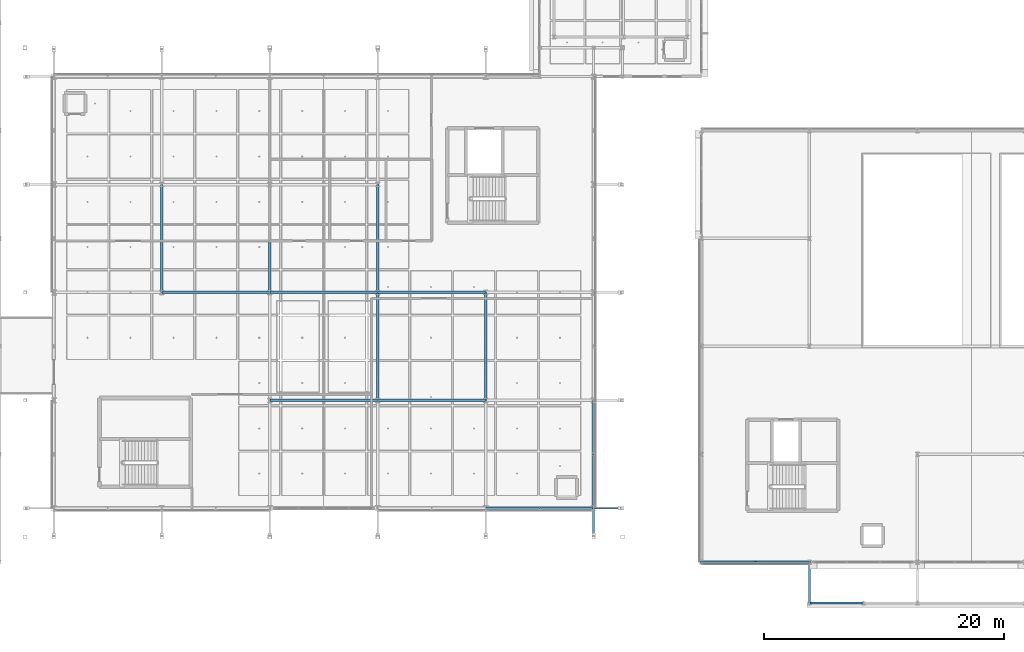
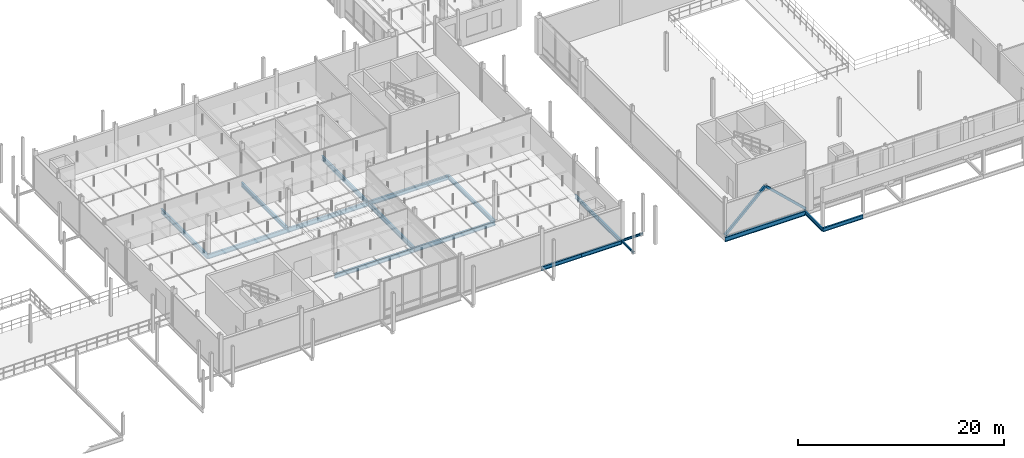
# One storey, part 25 of 130: 19 beams, 2 members.
"""IFC4 building model written with IfcOpenShell, lengths in metres."""

from ifc_helpers import new_model, si_unit, direction, frame, origin, origin_2d, place, context, subcontext, project, spatial, hollow_rectangle, i_section, extrude, material, material_profile, profile_set, type_object, element, save


model = new_model("IFC4")

# Units and contexts
model_context = context("Model", 3, precision=1e-05, world=origin(), true_north=direction((0.0, 1.0)))
body_context = subcontext(model_context, "Body", "Model", "MODEL_VIEW")
ifc_project = project(units=[si_unit("LENGTHUNIT", "METRE"), si_unit("AREAUNIT", "SQUARE_METRE"), si_unit("VOLUMEUNIT", "CUBIC_METRE"), si_unit("PLANEANGLEUNIT", "RADIAN"), si_unit("MASSUNIT", "GRAM", prefix="KILO"), si_unit("THERMODYNAMICTEMPERATUREUNIT", "KELVIN"), si_unit("POWERUNIT", "WATT")], contexts=[model_context])

# Site, building, storey
site_placement = place(None, origin())
site = spatial("IfcSite", under=ifc_project, at=site_placement, CompositionType="ELEMENT")
building_placement = place(site_placement, origin())
building = spatial("IfcBuilding", under=site, at=building_placement, Name="Tallowbark Science Centre", CompositionType="ELEMENT")
storey_placement = place(building_placement, frame((0.0, 0.0, 5.39990234375)))
storey = spatial("IfcBuildingStorey", under=building, at=storey_placement, Name="L01", CompositionType="ELEMENT", Elevation=5.39990234375)

# Beams
ifc_material_1 = material(Name="White Architectural Painted Steel Grade C350L0 (350 MPa)", Category="steel")
ifc_material_profile_1 = material_profile(ifc_material_1, i_section(OverallWidth=0.146484375, OverallDepth=0.256103515625, WebThickness=0.00634765625, FlangeThickness=0.010986328125, FilletRadius=0.0087890625, at=origin_2d()), Name="250UB37.3")
ifc_profile_set_1 = profile_set([ifc_material_profile_1], Name="White Architectural Painted Steel Grade C350L0 (350 MPa)")
beam_type_1 = type_object("IfcBeamType", Name="BM-OUT250", PredefinedType="BEAM", material=ifc_profile_set_1)
for number, where, z_axis, x_axis, name in (
    (1, (103.5, 4.5, -0.25), (0.0, -1.0, 0.0), (1.0, 0.0, 0.0), "Star Screen Outrigger Tie Beam S-11"),
    (2, (103.5, 4.5, -0.25), (1.0, 0.0, 0.0), (0.0, 1.0, 0.0), "Star Screen Outrigger Tie Beam E-13"),
):
    element("IfcBeam", number, at=place(storey_placement, frame(where, z_axis=z_axis, x_axis=x_axis)), inside=storey, type_object=beam_type_1, Name=name, PredefinedType="BEAM", context=body_context, shape_type="SweptSolid", body=[
        extrude(i_section(OverallWidth=0.146484375, OverallDepth=0.256103515625, WebThickness=0.00634765625, FlangeThickness=0.010986328125, FilletRadius=0.0087890625, at=origin_2d()), origin(), (0.0, 0.0, 1.0), 2.39990234375),
    ])
ifc_material_2 = material(Name="Structural Steel Grade 300PLUS (300 MPa)", Category="steel")
ifc_material_profile_2 = material_profile(ifc_material_2, i_section(OverallWidth=0.177734375, OverallDepth=0.406494140625, WebThickness=0.0078125, FlangeThickness=0.0126953125, FilletRadius=0.011474609375, at=origin_2d()), Name="410UB59.7")
ifc_profile_set_2 = profile_set([ifc_material_profile_2], Name="Structural Steel Grade 300PLUS (300 MPa)")
beam_type_2 = type_object("IfcBeamType", Name="BM-UB410", PredefinedType="BEAM", material=ifc_profile_set_2)
beam_1_placement = place(storey_placement, frame((121.5, -3.39990234375, -0.447998046875), z_axis=(0.0, 1.0, 0.0), x_axis=(-1.0, 0.0, 0.0)))
element("IfcBeam", 3, at=beam_1_placement, inside=storey, type_object=beam_type_2, Name="Primary Girder GRDY-L01-1215--34-0", PredefinedType="BEAM", context=body_context, shape_type="SweptSolid", body=[
    extrude(i_section(OverallWidth=0.177734375, OverallDepth=0.406494140625, WebThickness=0.0078125, FlangeThickness=0.0126953125, FilletRadius=0.011474609375, at=origin_2d()), origin(), (0.0, 0.0, 1.0), 3.39990234375),
])
ifc_material_profile_3 = material_profile(ifc_material_2, i_section(OverallWidth=0.208984375, OverallDepth=0.532958984375, WebThickness=0.01025390625, FlangeThickness=0.015625, FilletRadius=0.013916015625, at=origin_2d()), Name="530UB92.4")
ifc_profile_set_3 = profile_set([ifc_material_profile_3], Name="Structural Steel Grade 300PLUS (300 MPa)")
beam_type_3 = type_object("IfcBeamType", Name="BM-UB530A", PredefinedType="BEAM", material=ifc_profile_set_3)
for number, where, z_axis, x_axis, name in (
    (4, (76.5, 13.5, -0.4462890625), (1.0, 0.0, 0.0), (0.0, 1.0, 0.0), "Primary Girder GRDX-L01-765-855-135"),
    (5, (85.5, 13.5, -0.4462890625), (1.0, 0.0, 0.0), (0.0, 1.0, 0.0), "Primary Girder GRDX-L01-855-945-135"),
    (6, (67.5, 22.5, -0.4462890625), (1.0, 0.0, 0.0), (0.0, 1.0, 0.0), "Primary Girder GRDX-L01-675-765-225"),
    (7, (76.5, 22.5, -0.4462890625), (1.0, 0.0, 0.0), (0.0, 1.0, 0.0), "Primary Girder GRDX-L01-765-855-225"),
    (8, (85.5, 22.5, -0.4462890625), (1.0, 0.0, 0.0), (0.0, 1.0, 0.0), "Primary Girder GRDX-L01-855-945-225"),
):
    element("IfcBeam", number, at=place(storey_placement, frame(where, z_axis=z_axis, x_axis=x_axis)), inside=storey, type_object=beam_type_3, Name=name, PredefinedType="BEAM", context=body_context, shape_type="SweptSolid", body=[
        extrude(i_section(OverallWidth=0.208984375, OverallDepth=0.532958984375, WebThickness=0.01025390625, FlangeThickness=0.015625, FilletRadius=0.013916015625, at=origin_2d()), origin(), (0.0, 0.0, 1.0), 9.0),
    ])
ifc_material_profile_4 = material_profile(ifc_material_2, i_section(OverallWidth=0.208740234375, OverallDepth=0.5283203125, WebThickness=0.009521484375, FlangeThickness=0.01318359375, FilletRadius=0.013916015625, at=origin_2d()), Name="530UB82.0")
ifc_profile_set_4 = profile_set([ifc_material_profile_4], Name="Structural Steel Grade 300PLUS (300 MPa)")
beam_type_4 = type_object("IfcBeamType", Name="BM-UB530B", PredefinedType="BEAM", material=ifc_profile_set_4)
for number, where, z_axis, x_axis, name in (
    (9, (67.5, 22.5, -0.444091796875), (0.0, 1.0, 0.0), (-1.0, 0.0, 0.0), "Primary Girder GRDY-L01-675-225-315"),
    (10, (76.5, 22.5, -0.444091796875), (0.0, 1.0, 0.0), (-1.0, 0.0, 0.0), "Primary Girder GRDY-L01-765-225-315"),
    (11, (85.5, 13.5, -0.444091796875), (0.0, 1.0, 0.0), (-1.0, 0.0, 0.0), "Primary Girder GRDY-L01-855-135-225"),
    (12, (85.5, 22.5, -0.444091796875), (0.0, 1.0, 0.0), (-1.0, 0.0, 0.0), "Primary Girder GRDY-L01-855-225-315"),
    (13, (94.5, 13.5, -0.444091796875), (0.0, 1.0, 0.0), (-1.0, 0.0, 0.0), "Primary Girder GRDY-L01-945-135-225"),
):
    element("IfcBeam", number, at=place(storey_placement, frame(where, z_axis=z_axis, x_axis=x_axis)), inside=storey, type_object=beam_type_4, Name=name, PredefinedType="BEAM", context=body_context, shape_type="SweptSolid", body=[
        extrude(i_section(OverallWidth=0.208740234375, OverallDepth=0.5283203125, WebThickness=0.009521484375, FlangeThickness=0.01318359375, FilletRadius=0.013916015625, at=origin_2d()), origin(), (0.0, 0.0, 1.0), 9.0),
    ])

# Members
ifc_material_3 = material(Name="Structural Steel Grade C350L0 (350 MPa)", Category="steel")
ifc_material_profile_5 = material_profile(ifc_material_3, hollow_rectangle(XDim=0.25, YDim=0.25, WallThickness=0.009033203125, at=origin_2d()), Name="250x250x9.0SHS")
ifc_profile_set_5 = profile_set([ifc_material_profile_5], Name="Structural Steel Grade C350L0 (350 MPa)")
member_type = type_object("IfcMemberType", Name="CBF-250SHS", PredefinedType="BRACE", material=ifc_profile_set_5)
for number, where, z_axis, x_axis, name in (
    (14, (112.5, 0.0, 0.0), (0.72701315255, 0.0, 0.686623532964), (0.0, 1.0, 0.0), "Concentric Chevron Brace CBF-THT-S1 L01 Left"),
    (15, (121.5, 0.0, 0.0), (-0.72701315255, 0.0, 0.686623532964), (0.0, -1.0, 0.0), "Concentric Chevron Brace CBF-THT-S1 L01 Right"),
):
    element("IfcMember", number, at=place(storey_placement, frame(where, z_axis=z_axis, x_axis=x_axis)), inside=storey, type_object=member_type, Name=name, PredefinedType="BRACE", context=body_context, shape_type="SweptSolid", body=[
        extrude(hollow_rectangle(XDim=0.25, YDim=0.25, WallThickness=0.009033203125, at=origin_2d()), origin(), (0.0, 0.0, 1.0), 6.189697265625),
    ])

# Beams
ifc_material_profile_6 = material_profile(ifc_material_2, i_section(OverallWidth=0.208984375, OverallDepth=0.532958984375, WebThickness=0.01025390625, FlangeThickness=0.015625, FilletRadius=0.013916015625, at=origin_2d()), Name="530UB92.4")
ifc_profile_set_6 = profile_set([ifc_material_profile_6], Name="Structural Steel Grade 300PLUS (300 MPa)")
beam_type_5 = type_object("IfcBeamType", Name="LNT-UB530", PredefinedType="LINTEL", material=ifc_profile_set_6)
beam_2_placement = place(storey_placement, frame((112.5, 0.0, -0.511474609375), z_axis=(1.0, 0.0, 0.0), x_axis=(0.0, 1.0, 0.0)))
element("IfcBeam", 16, at=beam_2_placement, inside=storey, type_object=beam_type_5, Name="Primary Girder GRDX-L01-1125-1215-0", PredefinedType="LINTEL", context=body_context, shape_type="SweptSolid", body=[
    extrude(i_section(OverallWidth=0.208984375, OverallDepth=0.532958984375, WebThickness=0.01025390625, FlangeThickness=0.015625, FilletRadius=0.013916015625, at=origin_2d()), origin(), (0.0, 0.0, 1.0), 9.0),
])
ifc_material_profile_7 = material_profile(ifc_material_2, i_section(OverallWidth=0.18994140625, OverallDepth=0.453857421875, WebThickness=0.008544921875, FlangeThickness=0.0126953125, FilletRadius=0.011474609375, at=origin_2d()), Name="460UB67.1")
ifc_profile_set_7 = profile_set([ifc_material_profile_7], Name="Structural Steel Grade 300PLUS (300 MPa)")
beam_type_6 = type_object("IfcBeamType", Name="SPN-UB460", PredefinedType="SPANDREL", material=ifc_profile_set_7)
for number, where, z_axis, x_axis, name in (
    (17, (121.5, -3.39990234375, -0.471923828125), (1.0, 0.0, 0.0), (0.0, 1.0, 0.0), "Primary Girder GRDX-L01-1215-1260--34"),
    (18, (94.5, 4.5, -0.40673828125), (1.0, 0.0, 0.0), (0.0, 1.0, 0.0), "Primary Girder GRDX-L01-945-990-45"),
    (19, (99.0, 4.5, -0.40673828125), (1.0, 0.0, 0.0), (0.0, 1.0, 0.0), "Primary Girder GRDX-L01-990-1035-45"),
    (20, (103.5, 4.5, -0.40673828125), (0.0, 1.0, 0.0), (-1.0, 0.0, 0.0), "Primary Girder GRDY-L01-1035-45-90"),
    (21, (103.5, 9.0, -0.40673828125), (0.0, 1.0, 0.0), (-1.0, 0.0, 0.0), "Primary Girder GRDY-L01-1035-90-135"),
):
    element("IfcBeam", number, at=place(storey_placement, frame(where, z_axis=z_axis, x_axis=x_axis)), inside=storey, type_object=beam_type_6, Name=name, PredefinedType="SPANDREL", context=body_context, shape_type="SweptSolid", body=[
        extrude(i_section(OverallWidth=0.18994140625, OverallDepth=0.453857421875, WebThickness=0.008544921875, FlangeThickness=0.0126953125, FilletRadius=0.011474609375, at=origin_2d()), origin(), (0.0, 0.0, 1.0), 4.5),
    ])

save(model, "model.ifc")
